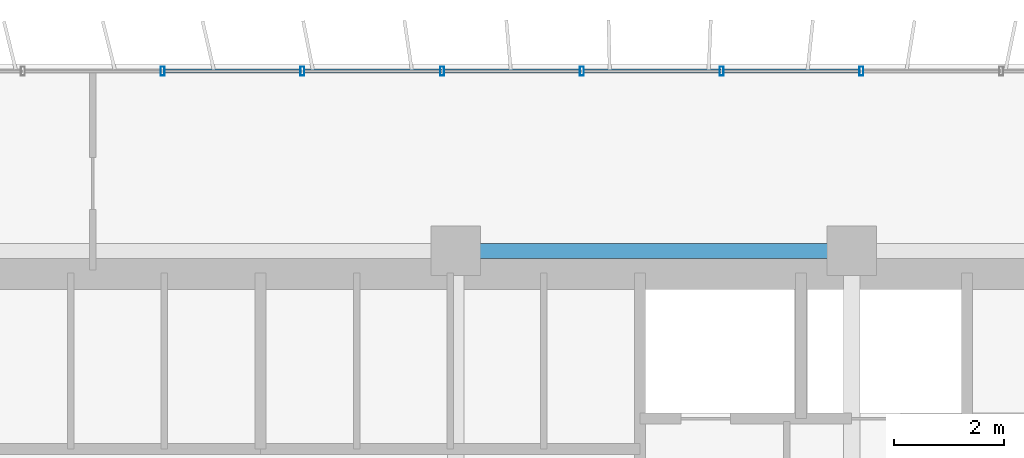
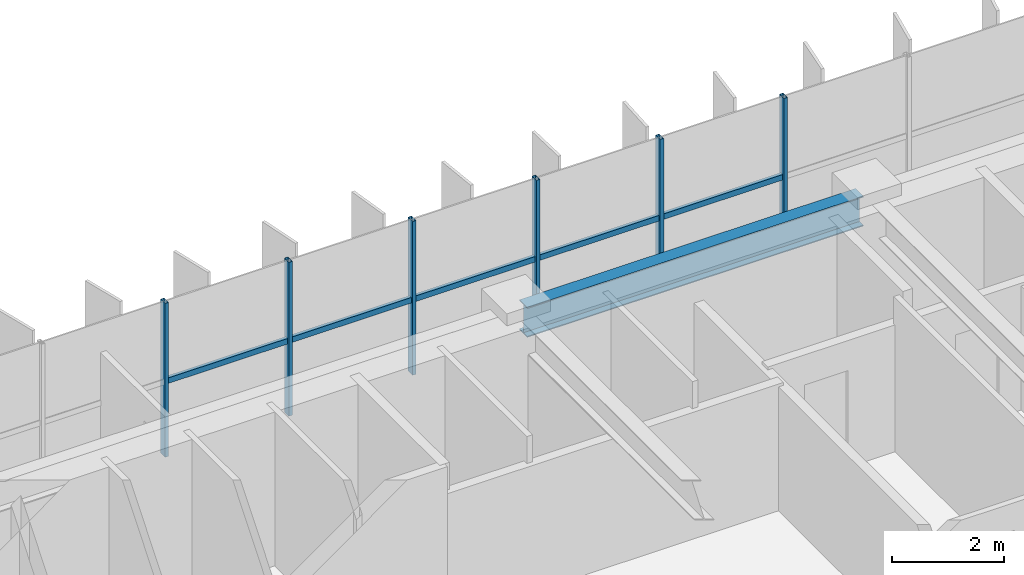
# One storey, part 10 of 22: 11 members, 1 beam, 1 element without a shape of its own.
"""IFC4 building model written with IfcOpenShell, lengths in metres."""

from ifc_helpers import new_model, si_unit, direction, frame, origin, origin_2d, place, context, subcontext, project, spatial, hollow_rectangle, i_section, extrude, source, transform, mapped, material, material_profile, profile_set, type_object, element, aggregate, save


model = new_model("IFC4")

# Units and contexts
model_context = context("Model", 3, precision=1e-05, world=origin(), true_north=direction((0.0, 1.0)))
body_context = subcontext(model_context, "Body", "Model", "MODEL_VIEW")
ifc_project = project(units=[si_unit("LENGTHUNIT", "METRE"), si_unit("AREAUNIT", "SQUARE_METRE"), si_unit("VOLUMEUNIT", "CUBIC_METRE"), si_unit("PLANEANGLEUNIT", "RADIAN"), si_unit("MASSUNIT", "GRAM", prefix="KILO")], contexts=[model_context])

# Site, building, storey
site_placement = place(None, origin())
site = spatial("IfcSite", under=ifc_project, at=site_placement, CompositionType="ELEMENT")
building_placement = place(site_placement, origin())
building = spatial("IfcBuilding", under=site, at=building_placement, Name="Trelvane Seafront Commons", CompositionType="ELEMENT")
storey_placement = place(building_placement, frame((0.0, 0.0, 48.699951171875)))
storey = spatial("IfcBuildingStorey", under=building, at=storey_placement, Name="L12", CompositionType="ELEMENT", Elevation=48.699951171875)

# Beam
ifc_material_1 = material(Name="Steel SM355 (S355)", Category="steel")
ifc_material_profile_1 = material_profile(ifc_material_1, i_section(OverallWidth=0.280029296875, OverallDepth=0.64990234375, WebThickness=0.012939453125, FlangeThickness=0.02197265625, at=origin_2d()), Name="H-650x280x13x22")
ifc_profile_set_1 = profile_set([ifc_material_profile_1], Name="Steel SM355 (S355)")
beam_type = type_object("IfcBeamType", Name="STR-BM-H650", PredefinedType="BEAM", material=ifc_profile_set_1)
shared_shape_1 = source(origin(), body_context, "Body", "SweptSolid", [
    extrude(i_section(OverallWidth=0.280029296875, OverallDepth=0.64990234375, WebThickness=0.012939453125, FlangeThickness=0.02197265625, at=origin_2d()), origin(), (0.0, 0.0, 1.0), 6.900146484375),
])
beam_placement = place(storey_placement, frame((43.949951171875, 45.10009765625, 3.01513671875), z_axis=(1.0, 0.0, 0.0), x_axis=(0.0, 1.0, 0.0)))
element("IfcBeam", 1, at=beam_placement, inside=storey, type_object=beam_type, Name="L12 Primary Girder G-33", PredefinedType="BEAM", context=body_context, shape_type="MappedRepresentation", body=[
    mapped(shared_shape_1, transform((0.0, 0.0, 0.0), x_axis=(1.0, 0.0, 0.0), y_axis=(0.0, 1.0, 0.0), z_axis=(0.0, 0.0, 1.0), scale=1.0)),
])

# Curtain wall, members
ifc_material_2 = material(Name="Anodised pale-silver aluminium", Category="aluminium")
curtain_wall_type = type_object("IfcCurtainWallType", Name="ARCH-CW2-LOWTOWER", PredefinedType="NOTDEFINED", material=ifc_material_2)
curtain_wall_placement = place(storey_placement, origin())
curtain_wall = element("IfcCurtainWall", 2, at=curtain_wall_placement, inside=storey, type_object=curtain_wall_type, Name="CW-L12-0036", PredefinedType="NOTDEFINED")
ifc_material_profile_2 = material_profile(ifc_material_2, hollow_rectangle(XDim=0.074951171875, YDim=0.159912109375, WallThickness=0.00390625, at=origin_2d()), Name="MULL-75x160x4")
ifc_profile_set_2 = profile_set([ifc_material_profile_2], Name="Anodised pale-silver aluminium")
member_type_1 = type_object("IfcMemberType", Name="ARCH-CW-MULL-160", PredefinedType="MULLION", material=ifc_profile_set_2)
shared_shape_2 = source(origin(), body_context, "Body", "SweptSolid", [
    extrude(hollow_rectangle(XDim=0.074951171875, YDim=0.159912109375, WallThickness=0.00390625, at=origin_2d()), origin(), (0.0, 0.0, 1.0), 3.340087890625),
])
member_1_placement = place(storey_placement, frame((38.470703125, 48.3701171875, 0.0), z_axis=(0.0, 0.0, 1.0), x_axis=(1.0, 0.0, 0.0)))
member_1 = element("IfcMember", 3, at=member_1_placement, type_object=member_type_1, Name="CW-L12-0036-M09", PredefinedType="MULLION", context=body_context, shape_type="MappedRepresentation", body=[
    mapped(shared_shape_2, transform((0.0, 0.0, 0.0), x_axis=(1.0, 0.0, 0.0), y_axis=(0.0, 1.0, 0.0), z_axis=(0.0, 0.0, 1.0), scale=1.0)),
])
member_2_placement = place(storey_placement, frame((41.01171875, 48.3701171875, 0.0), z_axis=(0.0, 0.0, 1.0), x_axis=(1.0, 0.0, 0.0)))
member_2 = element("IfcMember", 4, at=member_2_placement, type_object=member_type_1, Name="CW-L12-0036-M10", PredefinedType="MULLION", context=body_context, shape_type="MappedRepresentation", body=[
    mapped(shared_shape_2, transform((0.0, 0.0, 0.0), x_axis=(1.0, 0.0, 0.0), y_axis=(0.0, 1.0, 0.0), z_axis=(0.0, 0.0, 1.0), scale=1.0)),
])
member_3_placement = place(storey_placement, frame((43.552978515625, 48.3701171875, 0.0), z_axis=(0.0, 0.0, 1.0), x_axis=(1.0, 0.0, 0.0)))
member_3 = element("IfcMember", 5, at=member_3_placement, type_object=member_type_1, Name="CW-L12-0036-M11", PredefinedType="MULLION", context=body_context, shape_type="MappedRepresentation", body=[
    mapped(shared_shape_2, transform((0.0, 0.0, 0.0), x_axis=(1.0, 0.0, 0.0), y_axis=(0.0, 1.0, 0.0), z_axis=(0.0, 0.0, 1.0), scale=1.0)),
])
member_4_placement = place(storey_placement, frame((46.093994140625, 48.3701171875, 0.0), z_axis=(0.0, 0.0, 1.0), x_axis=(1.0, 0.0, 0.0)))
member_4 = element("IfcMember", 6, at=member_4_placement, type_object=member_type_1, Name="CW-L12-0036-M12", PredefinedType="MULLION", context=body_context, shape_type="MappedRepresentation", body=[
    mapped(shared_shape_2, transform((0.0, 0.0, 0.0), x_axis=(1.0, 0.0, 0.0), y_axis=(0.0, 1.0, 0.0), z_axis=(0.0, 0.0, 1.0), scale=1.0)),
])
member_5_placement = place(storey_placement, frame((48.63525390625, 48.3701171875, 0.0), z_axis=(0.0, 0.0, 1.0), x_axis=(1.0, 0.0, 0.0)))
member_5 = element("IfcMember", 7, at=member_5_placement, type_object=member_type_1, Name="CW-L12-0036-M13", PredefinedType="MULLION", context=body_context, shape_type="MappedRepresentation", body=[
    mapped(shared_shape_2, transform((0.0, 0.0, 0.0), x_axis=(1.0, 0.0, 0.0), y_axis=(0.0, 1.0, 0.0), z_axis=(0.0, 0.0, 1.0), scale=1.0)),
])
member_6_placement = place(storey_placement, frame((51.176513671875, 48.3701171875, 0.0), z_axis=(0.0, 0.0, 1.0), x_axis=(1.0, 0.0, 0.0)))
member_6 = element("IfcMember", 8, at=member_6_placement, type_object=member_type_1, Name="CW-L12-0036-M14", PredefinedType="MULLION", context=body_context, shape_type="MappedRepresentation", body=[
    mapped(shared_shape_2, transform((0.0, 0.0, 0.0), x_axis=(1.0, 0.0, 0.0), y_axis=(0.0, 1.0, 0.0), z_axis=(0.0, 0.0, 1.0), scale=1.0)),
])
ifc_material_profile_3 = material_profile(ifc_material_2, hollow_rectangle(XDim=0.070068359375, YDim=0.1201171875, WallThickness=0.00390625, at=origin_2d()), Name="TRAN-70x120x4")
ifc_profile_set_3 = profile_set([ifc_material_profile_3], Name="Anodised pale-silver aluminium")
member_type_2 = type_object("IfcMemberType", Name="ARCH-CW-TRAN-120", PredefinedType="USERDEFINED", material=ifc_profile_set_3)
shared_shape_3 = source(origin(), body_context, "Body", "SweptSolid", [
    extrude(hollow_rectangle(XDim=0.070068359375, YDim=0.1201171875, WallThickness=0.00390625, at=origin_2d()), origin(), (0.0, 0.0, 1.0), 2.51708984375),
])
member_7_placement = place(storey_placement, frame((38.482666015625, 48.3701171875, 1.60302734375), z_axis=(1.0, 0.0, 0.0), x_axis=(0.0, 1.0, 0.0)))
member_7 = element("IfcMember", 9, at=member_7_placement, type_object=member_type_2, Name="CW-L12-0036-T09", ObjectType="TRANSOM", PredefinedType="USERDEFINED", context=body_context, shape_type="MappedRepresentation", body=[
    mapped(shared_shape_3, transform((0.0, 0.0, 0.0), x_axis=(1.0, 0.0, 0.0), y_axis=(0.0, 1.0, 0.0), z_axis=(0.0, 0.0, 1.0), scale=1.0)),
])
member_8_placement = place(storey_placement, frame((43.56494140625, 48.3701171875, 1.60302734375), z_axis=(1.0, 0.0, 0.0), x_axis=(0.0, 1.0, 0.0)))
member_8 = element("IfcMember", 10, at=member_8_placement, type_object=member_type_2, Name="CW-L12-0036-T11", ObjectType="TRANSOM", PredefinedType="USERDEFINED", context=body_context, shape_type="MappedRepresentation", body=[
    mapped(shared_shape_3, transform((0.0, 0.0, 0.0), x_axis=(1.0, 0.0, 0.0), y_axis=(0.0, 1.0, 0.0), z_axis=(0.0, 0.0, 1.0), scale=1.0)),
])
member_9_placement = place(storey_placement, frame((46.106201171875, 48.3701171875, 1.60302734375), z_axis=(1.0, 0.0, 0.0), x_axis=(0.0, 1.0, 0.0)))
member_9 = element("IfcMember", 11, at=member_9_placement, type_object=member_type_2, Name="CW-L12-0036-T12", ObjectType="TRANSOM", PredefinedType="USERDEFINED", context=body_context, shape_type="MappedRepresentation", body=[
    mapped(shared_shape_3, transform((0.0, 0.0, 0.0), x_axis=(1.0, 0.0, 0.0), y_axis=(0.0, 1.0, 0.0), z_axis=(0.0, 0.0, 1.0), scale=1.0)),
])
shared_shape_4 = source(origin(), body_context, "Body", "SweptSolid", [
    extrude(hollow_rectangle(XDim=0.070068359375, YDim=0.1201171875, WallThickness=0.00390625, at=origin_2d()), origin(), (0.0, 0.0, 1.0), 2.517333984375),
])
member_10_placement = place(storey_placement, frame((41.023681640625, 48.3701171875, 1.60302734375), z_axis=(1.0, 0.0, 0.0), x_axis=(0.0, 1.0, 0.0)))
member_10 = element("IfcMember", 12, at=member_10_placement, type_object=member_type_2, Name="CW-L12-0036-T10", ObjectType="TRANSOM", PredefinedType="USERDEFINED", context=body_context, shape_type="MappedRepresentation", body=[
    mapped(shared_shape_4, transform((0.0, 0.0, 0.0), x_axis=(1.0, 0.0, 0.0), y_axis=(0.0, 1.0, 0.0), z_axis=(0.0, 0.0, 1.0), scale=1.0)),
])
member_11_placement = place(storey_placement, frame((48.647216796875, 48.3701171875, 1.60302734375), z_axis=(1.0, 0.0, 0.0), x_axis=(0.0, 1.0, 0.0)))
member_11 = element("IfcMember", 13, at=member_11_placement, type_object=member_type_2, Name="CW-L12-0036-T13", ObjectType="TRANSOM", PredefinedType="USERDEFINED", context=body_context, shape_type="MappedRepresentation", body=[
    mapped(shared_shape_4, transform((0.0, 0.0, 0.0), x_axis=(1.0, 0.0, 0.0), y_axis=(0.0, 1.0, 0.0), z_axis=(0.0, 0.0, 1.0), scale=1.0)),
])
aggregate(curtain_wall, [member_1, member_2, member_3, member_4, member_5, member_6, member_7, member_10, member_8, member_9, member_11])

save(model, "model.ifc")
